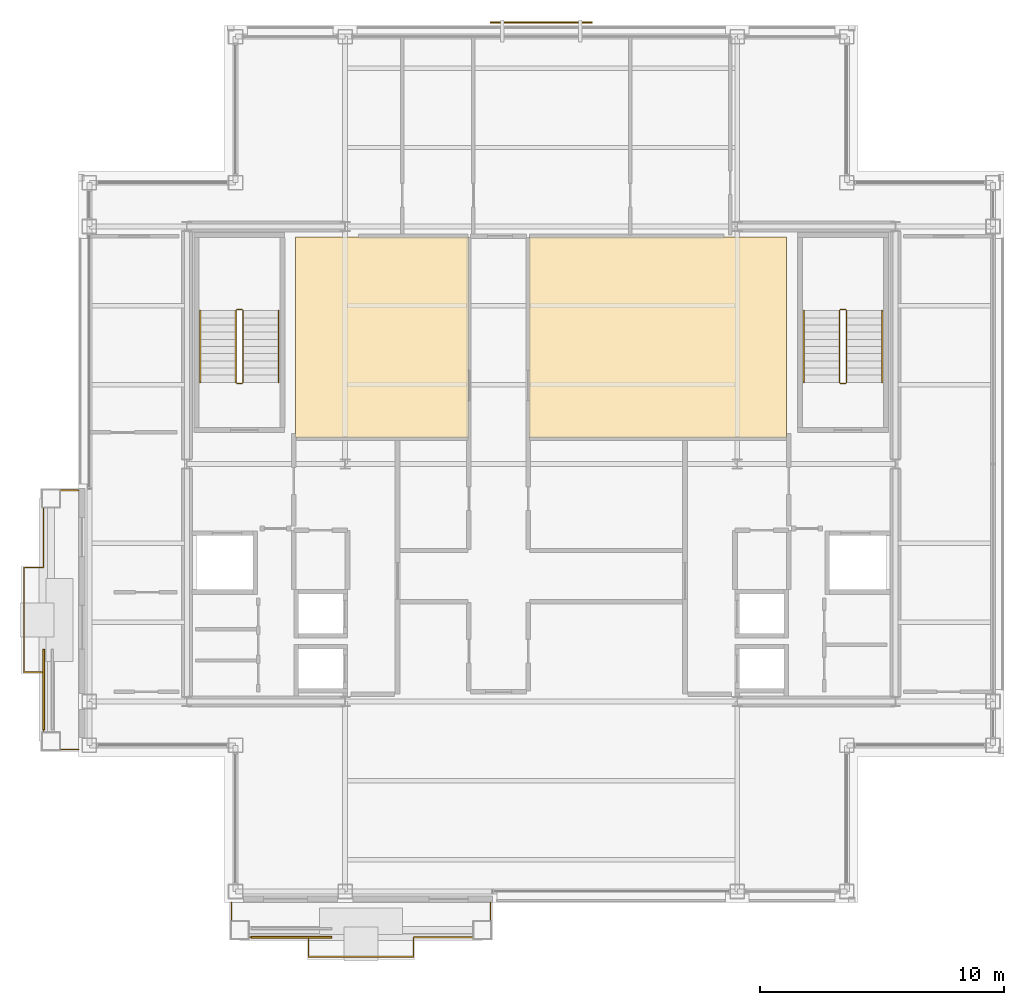
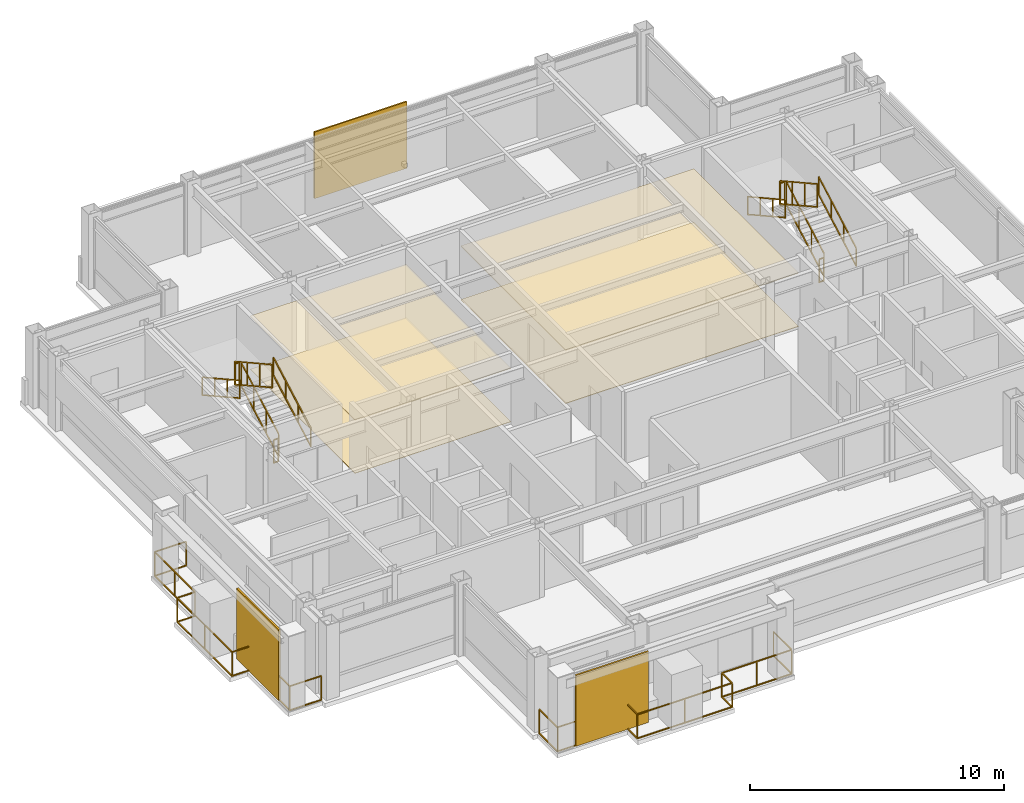
# One storey, part 27 of 28: 14 railings, 4 coverings, 3 shading devices.
"""IFC4 building model written with IfcOpenShell, lengths in metres."""

from ifc_helpers import new_model, si_unit, direction, frame, origin, origin_2d, place, context, subcontext, project, spatial, polyline, rectangle, outline, extrude, material, layer, layer_set, type_object, element, save


model = new_model("IFC4")

# Units and contexts
model_context = context("Model", 3, precision=1e-05, world=origin(), true_north=direction((0.0, 1.0)))
body_context = subcontext(model_context, "Body", "Model", "MODEL_VIEW")
ifc_project = project(units=[si_unit("LENGTHUNIT", "METRE"), si_unit("AREAUNIT", "SQUARE_METRE"), si_unit("VOLUMEUNIT", "CUBIC_METRE"), si_unit("PLANEANGLEUNIT", "RADIAN"), si_unit("MASSUNIT", "GRAM", prefix="KILO")], contexts=[model_context])

# Site, building, storey
site_placement = place(None, origin())
site = spatial("IfcSite", under=ifc_project, at=site_placement, CompositionType="ELEMENT")
building_placement = place(site_placement, origin())
building = spatial("IfcBuilding", under=site, at=building_placement, Name="Brelmoor Portico Tower", CompositionType="ELEMENT")
storey_placement = place(building_placement, frame((0.0, 0.0, 265.199951171875)))
storey = spatial("IfcBuildingStorey", under=building, at=storey_placement, Name="L70", CompositionType="ELEMENT", Elevation=265.199951171875)

# Coverings
ifc_material_1 = material(Name="Powder-Coated Aluminium Acoustic Baffle Ceiling", Category="aluminium")
ifc_layer_1 = layer(ifc_material_1, 0.044921875)
ifc_layer_set_1 = layer_set([ifc_layer_1], Name="Powder-Coated Aluminium Acoustic Baffle Ceiling")
covering_type_1 = type_object("IfcCoveringType", Name="CV-CEIL-BAFFLE-45", PredefinedType="CEILING", material=ifc_layer_set_1)
covering_1_placement = place(storey_placement, frame((0.0, 0.0, 2.550048828125)))
element("IfcCovering", 1, at=covering_1_placement, inside=storey, type_object=covering_type_1, Name="L70 Acoustic Suspended Ceiling 02", PredefinedType="CEILING", context=body_context, shape_type="SweptSolid", body=[
    extrude(outline(polyline([(-0.510009765625, 1.090087890625), (-0.510009765625, 9.330078125), (10.080078125, 9.330078125), (10.080078125, 1.090087890625), (-0.510009765625, 1.090087890625)])), origin(), (0.0, 0.0, 1.0), 0.044921875),
])
ifc_material_2 = material(Name="Micro-Perforated Aluminium Clip-In Ceiling", Category="aluminium")
ifc_layer_2 = layer(ifc_material_2, 0.031982421875)
ifc_layer_set_2 = layer_set([ifc_layer_2], Name="Micro-Perforated Aluminium Clip-In Ceiling")
covering_type_2 = type_object("IfcCoveringType", Name="CV-CEIL-METAL-32", PredefinedType="CEILING", material=ifc_layer_set_2)
covering_2_placement = place(storey_placement, frame((0.0, 0.0, 2.550048828125)))
element("IfcCovering", 2, at=covering_2_placement, inside=storey, type_object=covering_type_2, Name="L70 Acoustic Suspended Ceiling 01", PredefinedType="CEILING", context=body_context, shape_type="SweptSolid", body=[
    extrude(outline(polyline([(-10.080078125, 1.090087890625), (-10.080078125, 9.330078125), (-2.989990234375, 9.330078125), (-2.989990234375, 1.090087890625), (-10.080078125, 1.090087890625)])), origin(), (0.0, 0.0, 1.0), 0.031982421875),
])
ifc_material_3 = material(Name="Rectified Vitrified Porcelain Floor Tile", Category="ceramic")
ifc_layer_3 = layer(ifc_material_3, 0.01806640625)
ifc_layer_set_3 = layer_set([ifc_layer_3], Name="Rectified Vitrified Porcelain Floor Tile")
covering_type_3 = type_object("IfcCoveringType", Name="CV-FLR-PORCELAIN-18", PredefinedType="FLOORING", material=ifc_layer_set_3)
covering_3_placement = place(storey_placement, origin())
element("IfcCovering", 3, at=covering_3_placement, inside=storey, type_object=covering_type_3, Name="L70 Architectural Floor Finish 01", PredefinedType="FLOORING", context=body_context, shape_type="SweptSolid", body=[
    extrude(outline(polyline([(-10.080078125, 1.090087890625), (-10.080078125, 9.330078125), (-2.989990234375, 9.330078125), (-2.989990234375, 1.090087890625), (-10.080078125, 1.090087890625)])), origin(), (0.0, 0.0, 1.0), 0.01806640625),
])
ifc_material_4 = material(Name="Engineered Quarter-Sawn Oak Parquet Flooring", Category="timber")
ifc_layer_4 = layer(ifc_material_4, 0.02197265625)
ifc_layer_set_4 = layer_set([ifc_layer_4], Name="Engineered Quarter-Sawn Oak Parquet Flooring")
covering_type_4 = type_object("IfcCoveringType", Name="CV-FLR-TIMBER-22", PredefinedType="FLOORING", material=ifc_layer_set_4)
covering_4_placement = place(storey_placement, origin())
element("IfcCovering", 4, at=covering_4_placement, inside=storey, type_object=covering_type_4, Name="L70 Architectural Floor Finish 02", PredefinedType="FLOORING", context=body_context, shape_type="SweptSolid", body=[
    extrude(outline(polyline([(-0.510009765625, 1.090087890625), (-0.510009765625, 9.330078125), (10.080078125, 9.330078125), (10.080078125, 1.090087890625), (-0.510009765625, 1.090087890625)])), origin(), (0.0, 0.0, 1.0), 0.02197265625),
])

# Railings
ifc_material_5 = material(Name="Perforated Pale Champagne Aluminium Fretwork Guard", Category="aluminium")
railing_type_1 = type_object("IfcRailingType", Name="RL-BALUSTRADE-1200", PredefinedType="BALUSTRADE", material=ifc_material_5)
railing_1_placement = place(storey_placement, frame((-12.719970703125, -18.0, 0.0)))
element("IfcRailing", 5, at=railing_1_placement, inside=storey, type_object=railing_type_1, Name="L70 Tree Balcony Fretwork Balustrade S", PredefinedType="BALUSTRADE", context=body_context, shape_type="SweptSolid", body=[
    extrude(rectangle(XDim=0.048095703125, YDim=0.048095703125, at=origin_2d()), frame((0.0, 0.0, 1.17578125), z_axis=(0.0, -1.0, 0.0), x_axis=(1.0, 0.0, 0.0)), (0.0, 0.0, 1.0), 1.429931640625),
    extrude(rectangle(XDim=0.048095703125, YDim=0.048095703125, at=origin_2d()), frame((0.0, 0.0, 0.02392578125), z_axis=(0.0, -1.0, 0.0), x_axis=(1.0, 0.0, 0.0)), (0.0, 0.0, 1.0), 1.429931640625),
    extrude(rectangle(XDim=0.048095703125, YDim=0.048095703125, at=origin_2d()), frame((0.0, -1.429931640625, 1.17578125), z_axis=(1.0, 0.0, 0.0), x_axis=(0.0, 1.0, 0.0)), (0.0, 0.0, 1.0), 3.169921875),
    extrude(rectangle(XDim=0.048095703125, YDim=0.048095703125, at=origin_2d()), frame((0.0, -1.429931640625, 0.02392578125), z_axis=(1.0, 0.0, 0.0), x_axis=(0.0, 1.0, 0.0)), (0.0, 0.0, 1.0), 3.169921875),
    extrude(rectangle(XDim=0.048095703125, YDim=0.048095703125, at=origin_2d()), frame((3.169921875, -1.429931640625, 1.17578125), z_axis=(0.0, -1.0, 0.0), x_axis=(1.0, 0.0, 0.0)), (0.0, 0.0, 1.0), 0.800048828125),
    extrude(rectangle(XDim=0.048095703125, YDim=0.048095703125, at=origin_2d()), frame((3.169921875, -1.429931640625, 0.02392578125), z_axis=(0.0, -1.0, 0.0), x_axis=(1.0, 0.0, 0.0)), (0.0, 0.0, 1.0), 0.800048828125),
    extrude(rectangle(XDim=0.048095703125, YDim=0.048095703125, at=origin_2d()), frame((3.169921875, -2.22998046875, 1.17578125), z_axis=(1.0, 0.0, 0.0), x_axis=(0.0, 1.0, 0.0)), (0.0, 0.0, 1.0), 4.300048828125),
    extrude(rectangle(XDim=0.048095703125, YDim=0.048095703125, at=origin_2d()), frame((3.169921875, -2.22998046875, 0.02392578125), z_axis=(1.0, 0.0, 0.0), x_axis=(0.0, 1.0, 0.0)), (0.0, 0.0, 1.0), 4.300048828125),
    extrude(rectangle(XDim=0.048095703125, YDim=0.048095703125, at=origin_2d()), frame((7.469970703125, -2.22998046875, 1.17578125), z_axis=(0.0, 1.0, 0.0), x_axis=(-1.0, 0.0, 0.0)), (0.0, 0.0, 1.0), 0.800048828125),
    extrude(rectangle(XDim=0.048095703125, YDim=0.048095703125, at=origin_2d()), frame((7.469970703125, -2.22998046875, 0.02392578125), z_axis=(0.0, 1.0, 0.0), x_axis=(-1.0, 0.0, 0.0)), (0.0, 0.0, 1.0), 0.800048828125),
    extrude(rectangle(XDim=0.048095703125, YDim=0.048095703125, at=origin_2d()), frame((7.469970703125, -1.429931640625, 1.17578125), z_axis=(1.0, 0.0, 0.0), x_axis=(0.0, 1.0, 0.0)), (0.0, 0.0, 1.0), 3.169921875),
    extrude(rectangle(XDim=0.048095703125, YDim=0.048095703125, at=origin_2d()), frame((7.469970703125, -1.429931640625, 0.02392578125), z_axis=(1.0, 0.0, 0.0), x_axis=(0.0, 1.0, 0.0)), (0.0, 0.0, 1.0), 3.169921875),
    extrude(rectangle(XDim=0.048095703125, YDim=0.048095703125, at=origin_2d()), frame((10.639892578125, -1.429931640625, 1.17578125), z_axis=(0.0, 1.0, 0.0), x_axis=(-1.0, 0.0, 0.0)), (0.0, 0.0, 1.0), 1.429931640625),
    extrude(rectangle(XDim=0.048095703125, YDim=0.048095703125, at=origin_2d()), frame((10.639892578125, -1.429931640625, 0.02392578125), z_axis=(0.0, 1.0, 0.0), x_axis=(-1.0, 0.0, 0.0)), (0.0, 0.0, 1.0), 1.429931640625),
    extrude(rectangle(XDim=0.0419921875, YDim=0.0419921875, at=origin_2d()), origin(), (0.0, 0.0, 1.0), 1.15185546875),
    extrude(rectangle(XDim=0.0419921875, YDim=0.0419921875, at=origin_2d()), frame((0.0, -1.429931640625, 0.0)), (0.0, 0.0, 1.0), 1.15185546875),
    extrude(rectangle(XDim=0.0419921875, YDim=0.0419921875, at=origin_2d()), frame((1.5849609375, -1.429931640625, 0.0)), (0.0, 0.0, 1.0), 1.15185546875),
    extrude(rectangle(XDim=0.0419921875, YDim=0.0419921875, at=origin_2d()), frame((3.169921875, -1.429931640625, 0.0)), (0.0, 0.0, 1.0), 1.15185546875),
    extrude(rectangle(XDim=0.0419921875, YDim=0.0419921875, at=origin_2d()), frame((3.169921875, -2.22998046875, 0.0)), (0.0, 0.0, 1.0), 1.15185546875),
    extrude(rectangle(XDim=0.0419921875, YDim=0.0419921875, at=origin_2d()), frame((5.31982421875, -2.22998046875, 0.0)), (0.0, 0.0, 1.0), 1.15185546875),
    extrude(rectangle(XDim=0.0419921875, YDim=0.0419921875, at=origin_2d()), frame((7.469970703125, -2.22998046875, 0.0)), (0.0, 0.0, 1.0), 1.15185546875),
    extrude(rectangle(XDim=0.0419921875, YDim=0.0419921875, at=origin_2d()), frame((7.469970703125, -1.429931640625, 0.0)), (0.0, 0.0, 1.0), 1.15185546875),
    extrude(rectangle(XDim=0.0419921875, YDim=0.0419921875, at=origin_2d()), frame((9.054931640625, -1.429931640625, 0.0)), (0.0, 0.0, 1.0), 1.15185546875),
    extrude(rectangle(XDim=0.0419921875, YDim=0.0419921875, at=origin_2d()), frame((10.639892578125, -1.429931640625, 0.0)), (0.0, 0.0, 1.0), 1.15185546875),
    extrude(rectangle(XDim=0.0419921875, YDim=0.0419921875, at=origin_2d()), frame((10.639892578125, 0.0, 0.0)), (0.0, 0.0, 1.0), 1.15185546875),
])
railing_2_placement = place(storey_placement, frame((-19.0, -11.719970703125, 0.0)))
element("IfcRailing", 6, at=railing_2_placement, inside=storey, type_object=railing_type_1, Name="L70 Tree Balcony Fretwork Balustrade W", PredefinedType="BALUSTRADE", context=body_context, shape_type="SweptSolid", body=[
    extrude(rectangle(XDim=0.048095703125, YDim=0.048095703125, at=origin_2d()), frame((0.0, 0.0, 1.17578125), z_axis=(-1.0, 0.0, 0.0), x_axis=(0.0, -1.0, 0.0)), (0.0, 0.0, 1.0), 1.429931640625),
    extrude(rectangle(XDim=0.048095703125, YDim=0.048095703125, at=origin_2d()), frame((0.0, 0.0, 0.02392578125), z_axis=(-1.0, 0.0, 0.0), x_axis=(0.0, -1.0, 0.0)), (0.0, 0.0, 1.0), 1.429931640625),
    extrude(rectangle(XDim=0.048095703125, YDim=0.048095703125, at=origin_2d()), frame((-1.429931640625, 0.0, 1.17578125), z_axis=(0.0, 1.0, 0.0), x_axis=(-1.0, 0.0, 0.0)), (0.0, 0.0, 1.0), 3.169921875),
    extrude(rectangle(XDim=0.048095703125, YDim=0.048095703125, at=origin_2d()), frame((-1.429931640625, 0.0, 0.02392578125), z_axis=(0.0, 1.0, 0.0), x_axis=(-1.0, 0.0, 0.0)), (0.0, 0.0, 1.0), 3.169921875),
    extrude(rectangle(XDim=0.048095703125, YDim=0.048095703125, at=origin_2d()), frame((-1.429931640625, 3.169921875, 1.17578125), z_axis=(-1.0, 0.0, 0.0), x_axis=(0.0, -1.0, 0.0)), (0.0, 0.0, 1.0), 0.800048828125),
    extrude(rectangle(XDim=0.048095703125, YDim=0.048095703125, at=origin_2d()), frame((-1.429931640625, 3.169921875, 0.02392578125), z_axis=(-1.0, 0.0, 0.0), x_axis=(0.0, -1.0, 0.0)), (0.0, 0.0, 1.0), 0.800048828125),
    extrude(rectangle(XDim=0.048095703125, YDim=0.048095703125, at=origin_2d()), frame((-2.22998046875, 3.169921875, 1.17578125), z_axis=(0.0, 1.0, 0.0), x_axis=(-1.0, 0.0, 0.0)), (0.0, 0.0, 1.0), 4.300048828125),
    extrude(rectangle(XDim=0.048095703125, YDim=0.048095703125, at=origin_2d()), frame((-2.22998046875, 3.169921875, 0.02392578125), z_axis=(0.0, 1.0, 0.0), x_axis=(-1.0, 0.0, 0.0)), (0.0, 0.0, 1.0), 4.300048828125),
    extrude(rectangle(XDim=0.048095703125, YDim=0.048095703125, at=origin_2d()), frame((-2.22998046875, 7.469970703125, 1.17578125), z_axis=(1.0, 0.0, 0.0), x_axis=(0.0, 1.0, 0.0)), (0.0, 0.0, 1.0), 0.800048828125),
    extrude(rectangle(XDim=0.048095703125, YDim=0.048095703125, at=origin_2d()), frame((-2.22998046875, 7.469970703125, 0.02392578125), z_axis=(1.0, 0.0, 0.0), x_axis=(0.0, 1.0, 0.0)), (0.0, 0.0, 1.0), 0.800048828125),
    extrude(rectangle(XDim=0.048095703125, YDim=0.048095703125, at=origin_2d()), frame((-1.429931640625, 7.469970703125, 1.17578125), z_axis=(0.0, 1.0, 0.0), x_axis=(-1.0, 0.0, 0.0)), (0.0, 0.0, 1.0), 3.169921875),
    extrude(rectangle(XDim=0.048095703125, YDim=0.048095703125, at=origin_2d()), frame((-1.429931640625, 7.469970703125, 0.02392578125), z_axis=(0.0, 1.0, 0.0), x_axis=(-1.0, 0.0, 0.0)), (0.0, 0.0, 1.0), 3.169921875),
    extrude(rectangle(XDim=0.048095703125, YDim=0.048095703125, at=origin_2d()), frame((-1.429931640625, 10.639892578125, 1.17578125), z_axis=(1.0, 0.0, 0.0), x_axis=(0.0, 1.0, 0.0)), (0.0, 0.0, 1.0), 1.429931640625),
    extrude(rectangle(XDim=0.048095703125, YDim=0.048095703125, at=origin_2d()), frame((-1.429931640625, 10.639892578125, 0.02392578125), z_axis=(1.0, 0.0, 0.0), x_axis=(0.0, 1.0, 0.0)), (0.0, 0.0, 1.0), 1.429931640625),
    extrude(rectangle(XDim=0.0419921875, YDim=0.0419921875, at=origin_2d()), origin(), (0.0, 0.0, 1.0), 1.15185546875),
    extrude(rectangle(XDim=0.0419921875, YDim=0.0419921875, at=origin_2d()), frame((-1.429931640625, 0.0, 0.0)), (0.0, 0.0, 1.0), 1.15185546875),
    extrude(rectangle(XDim=0.0419921875, YDim=0.0419921875, at=origin_2d()), frame((-1.429931640625, 1.5849609375, 0.0)), (0.0, 0.0, 1.0), 1.15185546875),
    extrude(rectangle(XDim=0.0419921875, YDim=0.0419921875, at=origin_2d()), frame((-1.429931640625, 3.169921875, 0.0)), (0.0, 0.0, 1.0), 1.15185546875),
    extrude(rectangle(XDim=0.0419921875, YDim=0.0419921875, at=origin_2d()), frame((-2.22998046875, 3.169921875, 0.0)), (0.0, 0.0, 1.0), 1.15185546875),
    extrude(rectangle(XDim=0.0419921875, YDim=0.0419921875, at=origin_2d()), frame((-2.22998046875, 5.31982421875, 0.0)), (0.0, 0.0, 1.0), 1.15185546875),
    extrude(rectangle(XDim=0.0419921875, YDim=0.0419921875, at=origin_2d()), frame((-2.22998046875, 7.469970703125, 0.0)), (0.0, 0.0, 1.0), 1.15185546875),
    extrude(rectangle(XDim=0.0419921875, YDim=0.0419921875, at=origin_2d()), frame((-1.429931640625, 7.469970703125, 0.0)), (0.0, 0.0, 1.0), 1.15185546875),
    extrude(rectangle(XDim=0.0419921875, YDim=0.0419921875, at=origin_2d()), frame((-1.429931640625, 9.054931640625, 0.0)), (0.0, 0.0, 1.0), 1.15185546875),
    extrude(rectangle(XDim=0.0419921875, YDim=0.0419921875, at=origin_2d()), frame((-1.429931640625, 10.639892578125, 0.0)), (0.0, 0.0, 1.0), 1.15185546875),
    extrude(rectangle(XDim=0.0419921875, YDim=0.0419921875, at=origin_2d()), frame((0.0, 10.639892578125, 0.0)), (0.0, 0.0, 1.0), 1.15185546875),
])
ifc_material_6 = material(Name="Painted Tubular Steel Q235B", Category="steel")
railing_type_2 = type_object("IfcRailingType", Name="RL-STAIR-GUARD", PredefinedType="GUARDRAIL", material=ifc_material_6)
railing_3_placement = place(storey_placement, frame((-12.239990234375, 3.35009765625, 0.16357421875)))
element("IfcRailing", 7, at=railing_3_placement, inside=storey, type_object=railing_type_2, Name="L70 ST-W stair guard 1", PredefinedType="GUARDRAIL", context=body_context, shape_type="SweptSolid", body=[
    extrude(rectangle(XDim=0.048095703125, YDim=0.048095703125, at=origin_2d()), frame((0.0, 0.0, 1.1259765625), z_axis=(0.0, 0.874457516365, 0.485102104791), x_axis=(-1.0, 0.0, 0.0)), (0.0, 0.0, 1.0), 3.37353515625),
    extrude(rectangle(XDim=0.048095703125, YDim=0.048095703125, at=origin_2d()), frame((0.0, 0.0, 0.02392578125), z_axis=(0.0, 0.874457516365, 0.485102104791), x_axis=(-1.0, 0.0, 0.0)), (0.0, 0.0, 1.0), 3.37353515625),
    extrude(rectangle(XDim=0.0419921875, YDim=0.0419921875, at=origin_2d()), origin(), (0.0, 0.0, 1.0), 1.101806640625),
    extrude(rectangle(XDim=0.0419921875, YDim=0.0419921875, at=origin_2d()), frame((0.0, 0.9833984375, 0.54541015625)), (0.0, 0.0, 1.0), 1.101806640625),
    extrude(rectangle(XDim=0.0419921875, YDim=0.0419921875, at=origin_2d()), frame((0.0, 1.966552734375, 1.091064453125)), (0.0, 0.0, 1.0), 1.101806640625),
    extrude(rectangle(XDim=0.0419921875, YDim=0.0419921875, at=origin_2d()), frame((0.0, 2.949951171875, 1.636474609375)), (0.0, 0.0, 1.0), 1.101806640625),
])
railing_4_placement = place(storey_placement, frame((-12.2900390625, 6.35009765625, 1.800048828125)))
element("IfcRailing", 8, at=railing_4_placement, inside=storey, type_object=railing_type_2, Name="L70 ST-W stair guard 2", PredefinedType="GUARDRAIL", context=body_context, shape_type="SweptSolid", body=[
    extrude(rectangle(XDim=0.048095703125, YDim=0.048095703125, at=origin_2d()), frame((0.0, 0.0, 1.1259765625), z_axis=(-1.0, 0.0, 0.0), x_axis=(0.0, -1.0, 0.0)), (0.0, 0.0, 1.0), 0.199951171875),
    extrude(rectangle(XDim=0.048095703125, YDim=0.048095703125, at=origin_2d()), frame((0.0, 0.0, 0.02392578125), z_axis=(-1.0, 0.0, 0.0), x_axis=(0.0, -1.0, 0.0)), (0.0, 0.0, 1.0), 0.199951171875),
    extrude(rectangle(XDim=0.0419921875, YDim=0.0419921875, at=origin_2d()), origin(), (0.0, 0.0, 1.0), 1.101806640625),
    extrude(rectangle(XDim=0.0419921875, YDim=0.0419921875, at=origin_2d()), frame((-0.199951171875, 0.0, 0.0)), (0.0, 0.0, 1.0), 1.101806640625),
])
railing_5_placement = place(storey_placement, frame((-12.5400390625, 6.300048828125, 1.963623046875)))
element("IfcRailing", 9, at=railing_5_placement, inside=storey, type_object=railing_type_2, Name="L70 ST-W stair guard 3", PredefinedType="GUARDRAIL", context=body_context, shape_type="SweptSolid", body=[
    extrude(rectangle(XDim=0.048095703125, YDim=0.048095703125, at=origin_2d()), frame((0.0, 0.0, 1.1259765625), z_axis=(0.0, -0.874457516365, 0.485102104791), x_axis=(1.0, 0.0, 0.0)), (0.0, 0.0, 1.0), 3.37353515625),
    extrude(rectangle(XDim=0.048095703125, YDim=0.048095703125, at=origin_2d()), frame((0.0, 0.0, 0.02392578125), z_axis=(0.0, -0.874457516365, 0.485102104791), x_axis=(1.0, 0.0, 0.0)), (0.0, 0.0, 1.0), 3.37353515625),
    extrude(rectangle(XDim=0.0419921875, YDim=0.0419921875, at=origin_2d()), origin(), (0.0, 0.0, 1.0), 1.101806640625),
    extrude(rectangle(XDim=0.0419921875, YDim=0.0419921875, at=origin_2d()), frame((0.0, -0.9833984375, 0.54541015625)), (0.0, 0.0, 1.0), 1.101806640625),
    extrude(rectangle(XDim=0.0419921875, YDim=0.0419921875, at=origin_2d()), frame((0.0, -1.966552734375, 1.091064453125)), (0.0, 0.0, 1.0), 1.101806640625),
    extrude(rectangle(XDim=0.0419921875, YDim=0.0419921875, at=origin_2d()), frame((0.0, -2.949951171875, 1.636474609375)), (0.0, 0.0, 1.0), 1.101806640625),
])
railing_6_placement = place(storey_placement, frame((-12.2900390625, 3.300048828125, 0.0)))
element("IfcRailing", 10, at=railing_6_placement, inside=storey, type_object=railing_type_2, Name="L70 ST-W stair guard 4", PredefinedType="GUARDRAIL", context=body_context, shape_type="SweptSolid", body=[
    extrude(rectangle(XDim=0.048095703125, YDim=0.048095703125, at=origin_2d()), frame((0.0, 0.0, 1.1259765625), z_axis=(-1.0, 0.0, 0.0), x_axis=(0.0, -1.0, 0.0)), (0.0, 0.0, 1.0), 0.199951171875),
    extrude(rectangle(XDim=0.048095703125, YDim=0.048095703125, at=origin_2d()), frame((0.0, 0.0, 0.02392578125), z_axis=(-1.0, 0.0, 0.0), x_axis=(0.0, -1.0, 0.0)), (0.0, 0.0, 1.0), 0.199951171875),
    extrude(rectangle(XDim=0.0419921875, YDim=0.0419921875, at=origin_2d()), origin(), (0.0, 0.0, 1.0), 1.101806640625),
    extrude(rectangle(XDim=0.0419921875, YDim=0.0419921875, at=origin_2d()), frame((-0.199951171875, 0.0, 0.0)), (0.0, 0.0, 1.0), 1.101806640625),
])
railing_7_placement = place(storey_placement, frame((12.5400390625, 3.35009765625, 0.16357421875)))
element("IfcRailing", 11, at=railing_7_placement, inside=storey, type_object=railing_type_2, Name="L70 ST-E stair guard 1", PredefinedType="GUARDRAIL", context=body_context, shape_type="SweptSolid", body=[
    extrude(rectangle(XDim=0.048095703125, YDim=0.048095703125, at=origin_2d()), frame((0.0, 0.0, 1.1259765625), z_axis=(0.0, 0.874457516365, 0.485102104791), x_axis=(-1.0, 0.0, 0.0)), (0.0, 0.0, 1.0), 3.37353515625),
    extrude(rectangle(XDim=0.048095703125, YDim=0.048095703125, at=origin_2d()), frame((0.0, 0.0, 0.02392578125), z_axis=(0.0, 0.874457516365, 0.485102104791), x_axis=(-1.0, 0.0, 0.0)), (0.0, 0.0, 1.0), 3.37353515625),
    extrude(rectangle(XDim=0.0419921875, YDim=0.0419921875, at=origin_2d()), origin(), (0.0, 0.0, 1.0), 1.101806640625),
    extrude(rectangle(XDim=0.0419921875, YDim=0.0419921875, at=origin_2d()), frame((0.0, 0.9833984375, 0.54541015625)), (0.0, 0.0, 1.0), 1.101806640625),
    extrude(rectangle(XDim=0.0419921875, YDim=0.0419921875, at=origin_2d()), frame((0.0, 1.966552734375, 1.091064453125)), (0.0, 0.0, 1.0), 1.101806640625),
    extrude(rectangle(XDim=0.0419921875, YDim=0.0419921875, at=origin_2d()), frame((0.0, 2.949951171875, 1.636474609375)), (0.0, 0.0, 1.0), 1.101806640625),
])
railing_8_placement = place(storey_placement, frame((12.489990234375, 6.35009765625, 1.800048828125)))
element("IfcRailing", 12, at=railing_8_placement, inside=storey, type_object=railing_type_2, Name="L70 ST-E stair guard 2", PredefinedType="GUARDRAIL", context=body_context, shape_type="SweptSolid", body=[
    extrude(rectangle(XDim=0.048095703125, YDim=0.048095703125, at=origin_2d()), frame((0.0, 0.0, 1.1259765625), z_axis=(-1.0, 0.0, 0.0), x_axis=(0.0, -1.0, 0.0)), (0.0, 0.0, 1.0), 0.199951171875),
    extrude(rectangle(XDim=0.048095703125, YDim=0.048095703125, at=origin_2d()), frame((0.0, 0.0, 0.02392578125), z_axis=(-1.0, 0.0, 0.0), x_axis=(0.0, -1.0, 0.0)), (0.0, 0.0, 1.0), 0.199951171875),
    extrude(rectangle(XDim=0.0419921875, YDim=0.0419921875, at=origin_2d()), origin(), (0.0, 0.0, 1.0), 1.101806640625),
    extrude(rectangle(XDim=0.0419921875, YDim=0.0419921875, at=origin_2d()), frame((-0.199951171875, 0.0, 0.0)), (0.0, 0.0, 1.0), 1.101806640625),
])
railing_9_placement = place(storey_placement, frame((12.239990234375, 6.300048828125, 1.963623046875)))
element("IfcRailing", 13, at=railing_9_placement, inside=storey, type_object=railing_type_2, Name="L70 ST-E stair guard 3", PredefinedType="GUARDRAIL", context=body_context, shape_type="SweptSolid", body=[
    extrude(rectangle(XDim=0.048095703125, YDim=0.048095703125, at=origin_2d()), frame((0.0, 0.0, 1.1259765625), z_axis=(0.0, -0.874457516365, 0.485102104791), x_axis=(1.0, 0.0, 0.0)), (0.0, 0.0, 1.0), 3.37353515625),
    extrude(rectangle(XDim=0.048095703125, YDim=0.048095703125, at=origin_2d()), frame((0.0, 0.0, 0.02392578125), z_axis=(0.0, -0.874457516365, 0.485102104791), x_axis=(1.0, 0.0, 0.0)), (0.0, 0.0, 1.0), 3.37353515625),
    extrude(rectangle(XDim=0.0419921875, YDim=0.0419921875, at=origin_2d()), origin(), (0.0, 0.0, 1.0), 1.101806640625),
    extrude(rectangle(XDim=0.0419921875, YDim=0.0419921875, at=origin_2d()), frame((0.0, -0.9833984375, 0.54541015625)), (0.0, 0.0, 1.0), 1.101806640625),
    extrude(rectangle(XDim=0.0419921875, YDim=0.0419921875, at=origin_2d()), frame((0.0, -1.966552734375, 1.091064453125)), (0.0, 0.0, 1.0), 1.101806640625),
    extrude(rectangle(XDim=0.0419921875, YDim=0.0419921875, at=origin_2d()), frame((0.0, -2.949951171875, 1.636474609375)), (0.0, 0.0, 1.0), 1.101806640625),
])
railing_10_placement = place(storey_placement, frame((12.489990234375, 3.300048828125, 0.0)))
element("IfcRailing", 14, at=railing_10_placement, inside=storey, type_object=railing_type_2, Name="L70 ST-E stair guard 4", PredefinedType="GUARDRAIL", context=body_context, shape_type="SweptSolid", body=[
    extrude(rectangle(XDim=0.048095703125, YDim=0.048095703125, at=origin_2d()), frame((0.0, 0.0, 1.1259765625), z_axis=(-1.0, 0.0, 0.0), x_axis=(0.0, -1.0, 0.0)), (0.0, 0.0, 1.0), 0.199951171875),
    extrude(rectangle(XDim=0.048095703125, YDim=0.048095703125, at=origin_2d()), frame((0.0, 0.0, 0.02392578125), z_axis=(-1.0, 0.0, 0.0), x_axis=(0.0, -1.0, 0.0)), (0.0, 0.0, 1.0), 0.199951171875),
    extrude(rectangle(XDim=0.0419921875, YDim=0.0419921875, at=origin_2d()), origin(), (0.0, 0.0, 1.0), 1.101806640625),
    extrude(rectangle(XDim=0.0419921875, YDim=0.0419921875, at=origin_2d()), frame((-0.199951171875, 0.0, 0.0)), (0.0, 0.0, 1.0), 1.101806640625),
])
ifc_material_7 = material(Name="Brushed Stainless Steel 304", Category="steel")
railing_type_3 = type_object("IfcRailingType", Name="RL-STAIR-HANDRAIL", PredefinedType="HANDRAIL", material=ifc_material_7)
railing_11_placement = place(storey_placement, frame((-10.780029296875, 3.35009765625, 0.16357421875)))
element("IfcRailing", 15, at=railing_11_placement, inside=storey, type_object=railing_type_3, Name="L70 ST-W stair handrail 1", PredefinedType="HANDRAIL", context=body_context, shape_type="SweptSolid", body=[
    extrude(rectangle(XDim=0.048095703125, YDim=0.048095703125, at=origin_2d()), frame((0.0, 0.0, 0.8759765625), z_axis=(0.0, 0.874457516365, 0.485102104791), x_axis=(-1.0, 0.0, 0.0)), (0.0, 0.0, 1.0), 3.37353515625),
    extrude(rectangle(XDim=0.048095703125, YDim=0.048095703125, at=origin_2d()), frame((0.0, 0.0, 0.02392578125), z_axis=(0.0, 0.874457516365, 0.485102104791), x_axis=(-1.0, 0.0, 0.0)), (0.0, 0.0, 1.0), 3.37353515625),
    extrude(rectangle(XDim=0.0419921875, YDim=0.0419921875, at=origin_2d()), origin(), (0.0, 0.0, 1.0), 0.851806640625),
    extrude(rectangle(XDim=0.0419921875, YDim=0.0419921875, at=origin_2d()), frame((0.0, 0.9833984375, 0.54541015625)), (0.0, 0.0, 1.0), 0.851806640625),
    extrude(rectangle(XDim=0.0419921875, YDim=0.0419921875, at=origin_2d()), frame((0.0, 1.966552734375, 1.091064453125)), (0.0, 0.0, 1.0), 0.851806640625),
    extrude(rectangle(XDim=0.0419921875, YDim=0.0419921875, at=origin_2d()), frame((0.0, 2.949951171875, 1.636474609375)), (0.0, 0.0, 1.0), 0.851806640625),
])
railing_12_placement = place(storey_placement, frame((-14.0, 6.300048828125, 1.963623046875)))
element("IfcRailing", 16, at=railing_12_placement, inside=storey, type_object=railing_type_3, Name="L70 ST-W stair handrail 2", PredefinedType="HANDRAIL", context=body_context, shape_type="SweptSolid", body=[
    extrude(rectangle(XDim=0.048095703125, YDim=0.048095703125, at=origin_2d()), frame((0.0, 0.0, 0.8759765625), z_axis=(0.0, -0.874457516365, 0.485102104791), x_axis=(1.0, 0.0, 0.0)), (0.0, 0.0, 1.0), 3.37353515625),
    extrude(rectangle(XDim=0.048095703125, YDim=0.048095703125, at=origin_2d()), frame((0.0, 0.0, 0.02392578125), z_axis=(0.0, -0.874457516365, 0.485102104791), x_axis=(1.0, 0.0, 0.0)), (0.0, 0.0, 1.0), 3.37353515625),
    extrude(rectangle(XDim=0.0419921875, YDim=0.0419921875, at=origin_2d()), origin(), (0.0, 0.0, 1.0), 0.851806640625),
    extrude(rectangle(XDim=0.0419921875, YDim=0.0419921875, at=origin_2d()), frame((0.0, -0.9833984375, 0.54541015625)), (0.0, 0.0, 1.0), 0.851806640625),
    extrude(rectangle(XDim=0.0419921875, YDim=0.0419921875, at=origin_2d()), frame((0.0, -1.966552734375, 1.091064453125)), (0.0, 0.0, 1.0), 0.851806640625),
    extrude(rectangle(XDim=0.0419921875, YDim=0.0419921875, at=origin_2d()), frame((0.0, -2.949951171875, 1.636474609375)), (0.0, 0.0, 1.0), 0.851806640625),
])
railing_13_placement = place(storey_placement, frame((14.0, 3.35009765625, 0.16357421875)))
element("IfcRailing", 17, at=railing_13_placement, inside=storey, type_object=railing_type_3, Name="L70 ST-E stair handrail 1", PredefinedType="HANDRAIL", context=body_context, shape_type="SweptSolid", body=[
    extrude(rectangle(XDim=0.048095703125, YDim=0.048095703125, at=origin_2d()), frame((0.0, 0.0, 0.8759765625), z_axis=(0.0, 0.874457516365, 0.485102104791), x_axis=(-1.0, 0.0, 0.0)), (0.0, 0.0, 1.0), 3.37353515625),
    extrude(rectangle(XDim=0.048095703125, YDim=0.048095703125, at=origin_2d()), frame((0.0, 0.0, 0.02392578125), z_axis=(0.0, 0.874457516365, 0.485102104791), x_axis=(-1.0, 0.0, 0.0)), (0.0, 0.0, 1.0), 3.37353515625),
    extrude(rectangle(XDim=0.0419921875, YDim=0.0419921875, at=origin_2d()), origin(), (0.0, 0.0, 1.0), 0.851806640625),
    extrude(rectangle(XDim=0.0419921875, YDim=0.0419921875, at=origin_2d()), frame((0.0, 0.9833984375, 0.54541015625)), (0.0, 0.0, 1.0), 0.851806640625),
    extrude(rectangle(XDim=0.0419921875, YDim=0.0419921875, at=origin_2d()), frame((0.0, 1.966552734375, 1.091064453125)), (0.0, 0.0, 1.0), 0.851806640625),
    extrude(rectangle(XDim=0.0419921875, YDim=0.0419921875, at=origin_2d()), frame((0.0, 2.949951171875, 1.636474609375)), (0.0, 0.0, 1.0), 0.851806640625),
])
railing_14_placement = place(storey_placement, frame((10.780029296875, 6.300048828125, 1.963623046875)))
element("IfcRailing", 18, at=railing_14_placement, inside=storey, type_object=railing_type_3, Name="L70 ST-E stair handrail 2", PredefinedType="HANDRAIL", context=body_context, shape_type="SweptSolid", body=[
    extrude(rectangle(XDim=0.048095703125, YDim=0.048095703125, at=origin_2d()), frame((0.0, 0.0, 0.8759765625), z_axis=(0.0, -0.874457516365, 0.485102104791), x_axis=(1.0, 0.0, 0.0)), (0.0, 0.0, 1.0), 3.37353515625),
    extrude(rectangle(XDim=0.048095703125, YDim=0.048095703125, at=origin_2d()), frame((0.0, 0.0, 0.02392578125), z_axis=(0.0, -0.874457516365, 0.485102104791), x_axis=(1.0, 0.0, 0.0)), (0.0, 0.0, 1.0), 3.37353515625),
    extrude(rectangle(XDim=0.0419921875, YDim=0.0419921875, at=origin_2d()), origin(), (0.0, 0.0, 1.0), 0.851806640625),
    extrude(rectangle(XDim=0.0419921875, YDim=0.0419921875, at=origin_2d()), frame((0.0, -0.9833984375, 0.54541015625)), (0.0, 0.0, 1.0), 0.851806640625),
    extrude(rectangle(XDim=0.0419921875, YDim=0.0419921875, at=origin_2d()), frame((0.0, -1.966552734375, 1.091064453125)), (0.0, 0.0, 1.0), 0.851806640625),
    extrude(rectangle(XDim=0.0419921875, YDim=0.0419921875, at=origin_2d()), frame((0.0, -2.949951171875, 1.636474609375)), (0.0, 0.0, 1.0), 0.851806640625),
])

# Shading devices
ifc_material_8 = material(Name="Powder-Coated Aluminium Shuttered Jalousie", Category="aluminium")
ifc_layer_5 = layer(ifc_material_8, 0.080078125)
ifc_layer_set_5 = layer_set([ifc_layer_5], Name="Powder-Coated Aluminium Shuttered Jalousie")
shading_device_type_1 = type_object("IfcShadingDeviceType", Name="SD-JALOUSIE-LOGGIA", PredefinedType="JALOUSIE", material=ifc_layer_set_5)
for number, where, z_axis, x_axis, name in (
    (19, (-10.25, -19.429931640625, 0.0), (0.0, 0.0, 1.0), (1.0, 0.0, 0.0), "L70 Loggia Shuttered Jalousie S"),
    (20, (-20.429931640625, -9.25, 0.0), (0.0, 0.0, 1.0), (0.0, 1.0, 0.0), "L70 Loggia Shuttered Jalousie W"),
):
    element("IfcShadingDevice", number, at=place(storey_placement, frame(where, z_axis=z_axis, x_axis=x_axis)), inside=storey, type_object=shading_device_type_1, Name=name, PredefinedType="JALOUSIE", context=body_context, shape_type="SweptSolid", body=[
        extrude(rectangle(XDim=3.300048828125, YDim=0.080078125, at=origin_2d()), origin(), (0.0, 0.0, 1.0), 3.39990234375),
    ])
ifc_material_9 = material(Name="Perforated Pale Champagne Aluminium Solar Screen", Category="aluminium")
ifc_layer_6 = layer(ifc_material_9, 0.06494140625)
ifc_layer_set_6 = layer_set([ifc_layer_6], Name="Perforated Pale Champagne Aluminium Solar Screen")
shading_device_type_2 = type_object("IfcShadingDeviceType", Name="SD-SOLAR-SCREEN", PredefinedType="USERDEFINED", material=ifc_layer_set_6)
shading_device_placement = place(storey_placement, frame((0.0, 18.1201171875, 0.10009765625), z_axis=(0.0, 0.0, 1.0), x_axis=(1.0, 0.0, 0.0)))
element("IfcShadingDevice", 21, at=shading_device_placement, inside=storey, type_object=shading_device_type_2, Name="L70 Perforated Solar Screen N1", ObjectType="SCREEN", PredefinedType="USERDEFINED", context=body_context, shape_type="SweptSolid", body=[
    extrude(rectangle(XDim=4.199951171875, YDim=0.06494140625, at=origin_2d()), origin(), (0.0, 0.0, 1.0), 3.199951171875),
])

save(model, "model.ifc")
